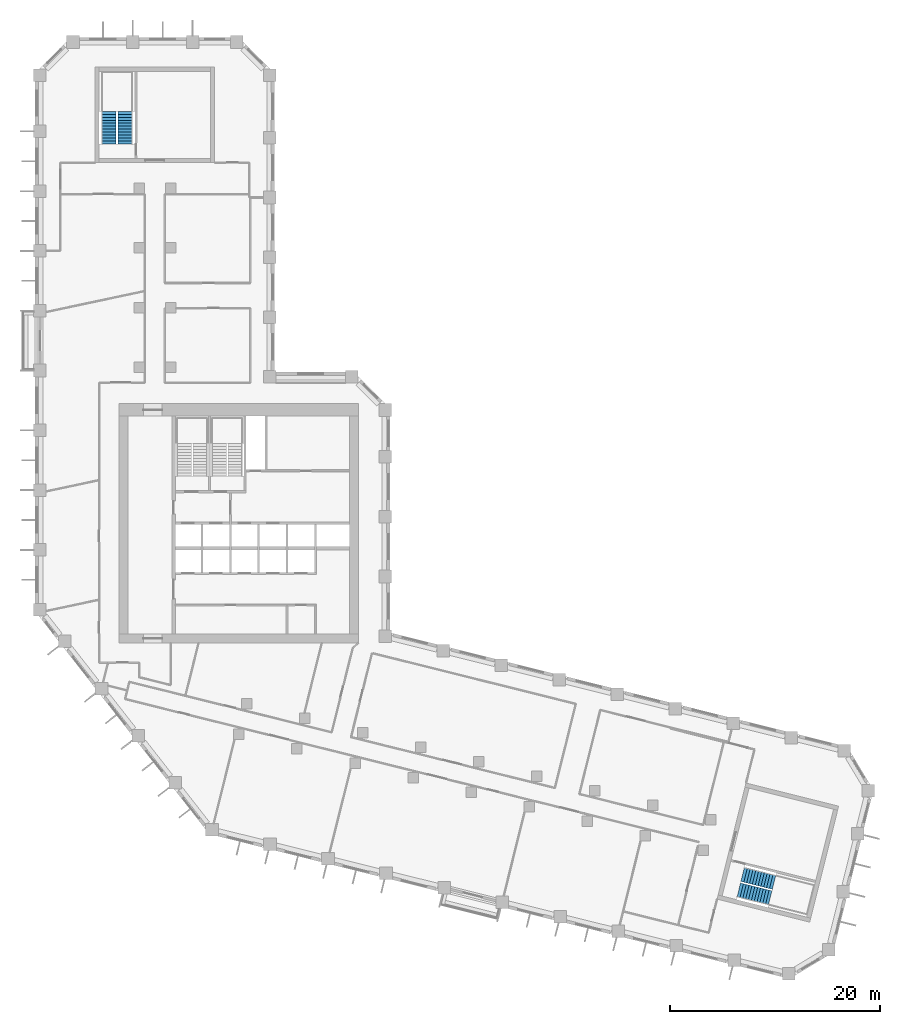
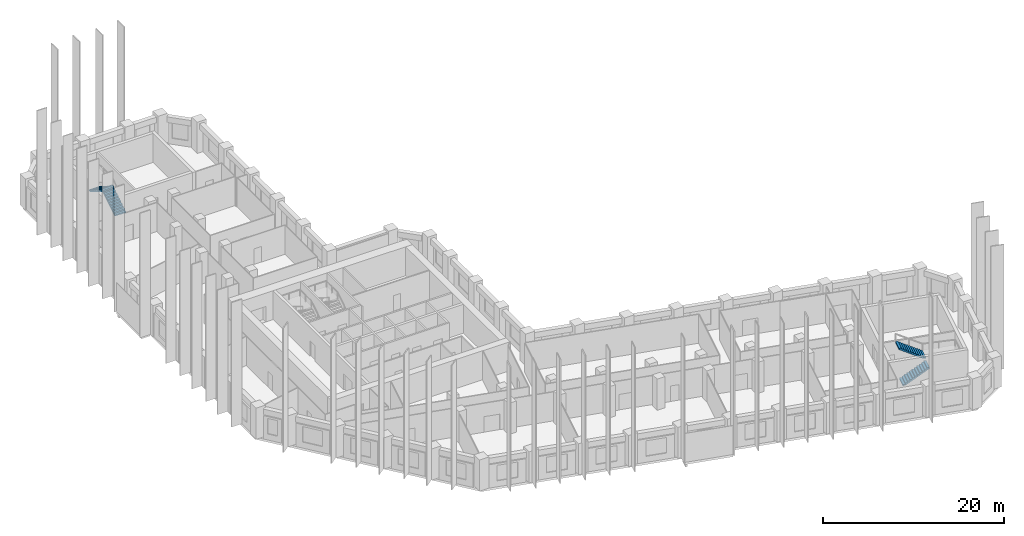
# One storey, part 9 of 10: 4 stair flights, 2 elements without a shape of their own.
"""IFC4 building model written with IfcOpenShell, lengths in metres."""

from ifc_helpers import new_model, si_unit, direction, frame, origin, place, context, subcontext, project, spatial, polyline, outline, extrude, material, type_object, element, aggregate, save


model = new_model("IFC4")

# Units and contexts
model_context = context("Model", 3, precision=1e-05, world=origin(), true_north=direction((0.0, 1.0)))
body_context = subcontext(model_context, "Body", "Model", "MODEL_VIEW")
ifc_project = project(units=[si_unit("LENGTHUNIT", "METRE"), si_unit("AREAUNIT", "SQUARE_METRE"), si_unit("VOLUMEUNIT", "CUBIC_METRE"), si_unit("PLANEANGLEUNIT", "RADIAN"), si_unit("MASSUNIT", "GRAM", prefix="KILO")], contexts=[model_context])

# Site, building, storey
site_placement = place(None, origin())
site = spatial("IfcSite", under=ifc_project, at=site_placement, CompositionType="ELEMENT")
building_placement = place(site_placement, origin())
building = spatial("IfcBuilding", under=site, at=building_placement, Name="Meshkara Civic Tower", CompositionType="ELEMENT")
storey_placement = place(building_placement, frame((0.0, 0.0, 178.199951171875)))
storey = spatial("IfcBuildingStorey", under=building, at=storey_placement, Name="L40", CompositionType="ELEMENT", Elevation=178.199951171875)

# Stair, stair flights
ifc_material_1 = material(Name="Precast concrete C40/50", Category="concrete")
stair_type = type_object("IfcStairType", Name="Exit stair half-turn 24 risers precast", PredefinedType="HALF_TURN_STAIR", material=ifc_material_1)
stair_1_placement = place(storey_placement, origin())
stair_1 = element("IfcStair", 1, at=stair_1_placement, inside=storey, type_object=stair_type, Name="L40 exit stair A from L35", PredefinedType="HALF_TURN_STAIR")
ifc_material_2 = material(Name="Precast concrete C40/50", Category="concrete")
stair_flight_type = type_object("IfcStairFlightType", Name="Exit stair flight 12 risers precast", PredefinedType="STRAIGHT", material=ifc_material_2)
stair_flight_1_placement = place(storey_placement, frame((8.574951171875, 61.669921875, 0.0), z_axis=(0.0, 0.0, 1.0), x_axis=(0.0, 1.0, 0.0)))
stair_flight_1 = element("IfcStairFlight", 2, at=stair_flight_1_placement, type_object=stair_flight_type, Name="ESA3 flight 1", NumberOfRisers=12, NumberOfTreads=11, PredefinedType="STRAIGHT", RiserHeight=0.175, TreadLength=0.28, context=body_context, shape_type="SweptSolid", body=[
    extrude(outline(polyline([(0.0, 0.0), (0.0, 0.175048828125), (0.280029296875, 0.175048828125), (0.280029296875, 0.35009765625), (0.56005859375, 0.35009765625), (0.56005859375, 0.52490234375), (0.840087890625, 0.52490234375), (0.840087890625, 0.699951171875), (1.1201171875, 0.699951171875), (1.1201171875, 0.875), (1.39990234375, 0.875), (1.39990234375, 1.050048828125), (1.679931640625, 1.050048828125), (1.679931640625, 1.22509765625), (1.9599609375, 1.22509765625), (1.9599609375, 1.39990234375), (2.239990234375, 1.39990234375), (2.239990234375, 1.574951171875), (2.52001953125, 1.574951171875), (2.52001953125, 1.75), (2.800048828125, 1.75), (2.800048828125, 1.925048828125), (3.080078125, 1.925048828125), (3.080078125, 2.10009765625), (3.080078125, 1.748291015625), (0.28271484375, 0.0), (0.0, 0.0)])), frame((0.0, 0.699951171875, 0.0), z_axis=(0.0, -1.0, 0.0), x_axis=(1.0, 0.0, 0.0)), (0.0, 0.0, 1.0), 1.39990234375),
])
stair_flight_2_placement = place(storey_placement, frame((7.02490234375, 64.75, 2.10009765625), z_axis=(0.0, 0.0, 1.0), x_axis=(0.0, -1.0, 0.0)))
stair_flight_2 = element("IfcStairFlight", 3, at=stair_flight_2_placement, type_object=stair_flight_type, Name="ESA3 flight 2", NumberOfRisers=12, NumberOfTreads=11, PredefinedType="STRAIGHT", RiserHeight=0.175, TreadLength=0.28, context=body_context, shape_type="SweptSolid", body=[
    extrude(outline(polyline([(0.0, 0.0), (0.0, 0.175048828125), (0.280029296875, 0.175048828125), (0.280029296875, 0.35009765625), (0.56005859375, 0.35009765625), (0.56005859375, 0.52490234375), (0.840087890625, 0.52490234375), (0.840087890625, 0.699951171875), (1.1201171875, 0.699951171875), (1.1201171875, 0.875), (1.39990234375, 0.875), (1.39990234375, 1.050048828125), (1.679931640625, 1.050048828125), (1.679931640625, 1.22509765625), (1.9599609375, 1.22509765625), (1.9599609375, 1.39990234375), (2.239990234375, 1.39990234375), (2.239990234375, 1.574951171875), (2.52001953125, 1.574951171875), (2.52001953125, 1.75), (2.800048828125, 1.75), (2.800048828125, 1.925048828125), (3.080078125, 1.925048828125), (3.080078125, 2.10009765625), (3.080078125, 1.748291015625), (0.28271484375, 0.0), (0.0, 0.0)])), frame((0.0, 0.699951171875, 0.0), z_axis=(0.0, -1.0, 0.0), x_axis=(1.0, 0.0, 0.0)), (0.0, 0.0, 1.0), 1.39990234375),
])
aggregate(stair_1, [stair_flight_1, stair_flight_2])

stair_2_placement = place(storey_placement, origin())
stair_2 = element("IfcStair", 4, at=stair_2_placement, inside=storey, type_object=stair_type, Name="L40 exit stair B from L35", PredefinedType="HALF_TURN_STAIR")
stair_flight_3_placement = place(storey_placement, frame((67.068115234375, -9.4814453125, 0.0), z_axis=(0.0, 0.0, 1.0), x_axis=(0.9703185901, -0.241830175344, 0.0)))
stair_flight_3 = element("IfcStairFlight", 5, at=stair_flight_3_placement, type_object=stair_flight_type, Name="ESB3 flight 1", NumberOfRisers=12, NumberOfTreads=11, PredefinedType="STRAIGHT", RiserHeight=0.175, TreadLength=0.28, context=body_context, shape_type="SweptSolid", body=[
    extrude(outline(polyline([(0.0, 0.0), (0.0, 0.175048828125), (0.280029296875, 0.175048828125), (0.280029296875, 0.35009765625), (0.56005859375, 0.35009765625), (0.56005859375, 0.52490234375), (0.840087890625, 0.52490234375), (0.840087890625, 0.699951171875), (1.1201171875, 0.699951171875), (1.1201171875, 0.875), (1.39990234375, 0.875), (1.39990234375, 1.050048828125), (1.679931640625, 1.050048828125), (1.679931640625, 1.22509765625), (1.9599609375, 1.22509765625), (1.9599609375, 1.39990234375), (2.239990234375, 1.39990234375), (2.239990234375, 1.574951171875), (2.52001953125, 1.574951171875), (2.52001953125, 1.75), (2.800048828125, 1.75), (2.800048828125, 1.925048828125), (3.080078125, 1.925048828125), (3.080078125, 2.10009765625), (3.080078125, 1.748291015625), (0.28271484375, 0.0), (0.0, 0.0)])), frame((0.0, 0.699951171875, 0.0), z_axis=(0.0, -1.0, 0.0), x_axis=(1.0, 0.0, 0.0)), (0.0, 0.0, 1.0), 1.39990234375),
])
stair_flight_4_placement = place(storey_placement, frame((70.431396484375, -8.722412109375, 2.10009765625), z_axis=(0.0, 0.0, 1.0), x_axis=(-0.9703185901, 0.241830175344, 0.0)))
stair_flight_4 = element("IfcStairFlight", 6, at=stair_flight_4_placement, type_object=stair_flight_type, Name="ESB3 flight 2", NumberOfRisers=12, NumberOfTreads=11, PredefinedType="STRAIGHT", RiserHeight=0.175, TreadLength=0.28, context=body_context, shape_type="SweptSolid", body=[
    extrude(outline(polyline([(0.0, 0.0), (0.0, 0.175048828125), (0.280029296875, 0.175048828125), (0.280029296875, 0.35009765625), (0.56005859375, 0.35009765625), (0.56005859375, 0.52490234375), (0.840087890625, 0.52490234375), (0.840087890625, 0.699951171875), (1.1201171875, 0.699951171875), (1.1201171875, 0.875), (1.39990234375, 0.875), (1.39990234375, 1.050048828125), (1.679931640625, 1.050048828125), (1.679931640625, 1.22509765625), (1.9599609375, 1.22509765625), (1.9599609375, 1.39990234375), (2.239990234375, 1.39990234375), (2.239990234375, 1.574951171875), (2.52001953125, 1.574951171875), (2.52001953125, 1.75), (2.800048828125, 1.75), (2.800048828125, 1.925048828125), (3.080078125, 1.925048828125), (3.080078125, 2.10009765625), (3.080078125, 1.748291015625), (0.28271484375, 0.0), (0.0, 0.0)])), frame((0.0, 0.699951171875, 0.0), z_axis=(0.0, -1.0, 0.0), x_axis=(1.0, 0.0, 0.0)), (0.0, 0.0, 1.0), 1.39990234375),
])
aggregate(stair_2, [stair_flight_3, stair_flight_4])

save(model, "model.ifc")
